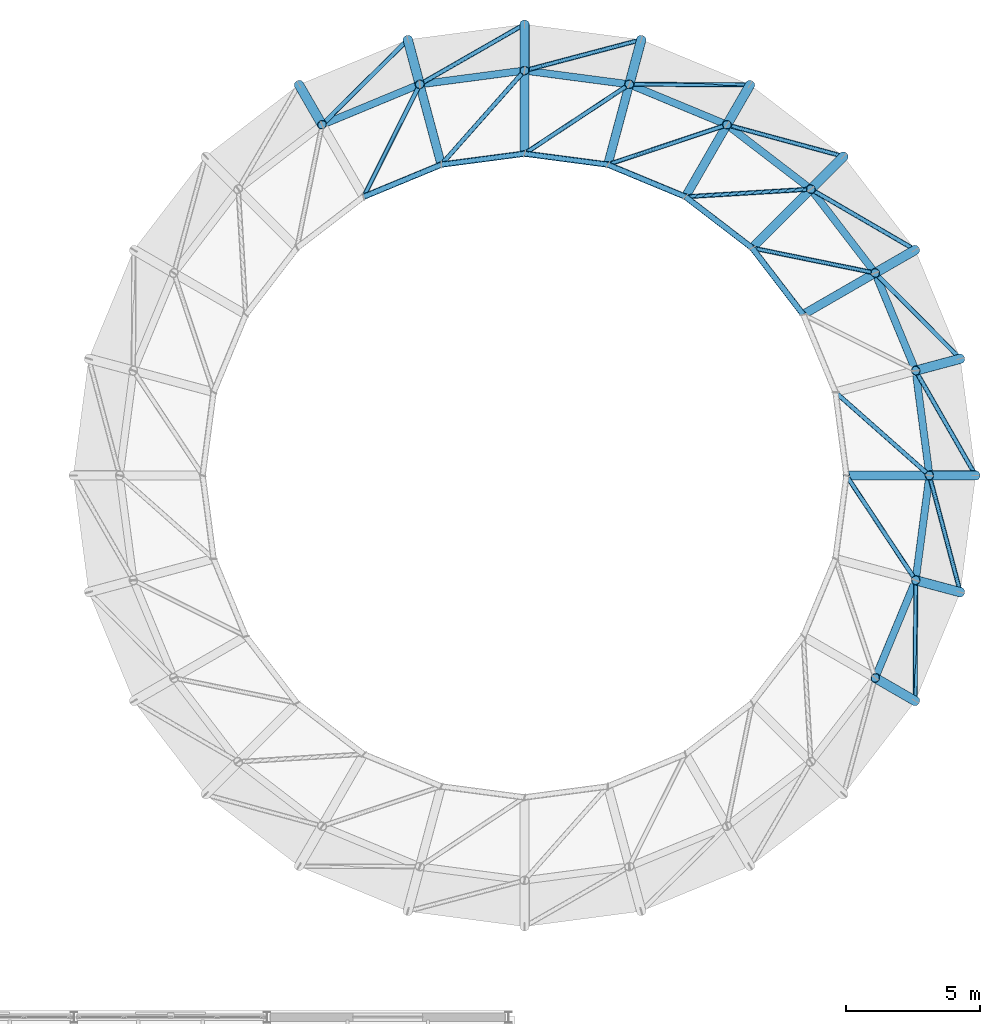
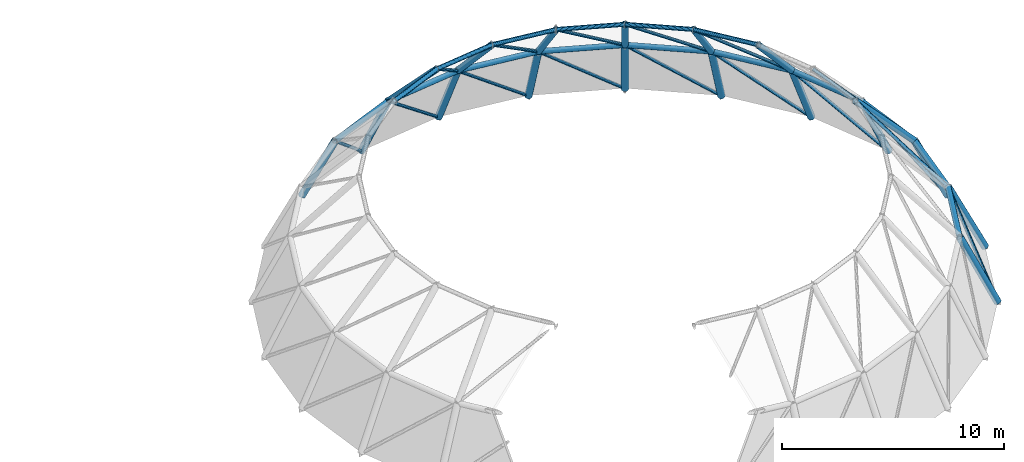
# One storey, part 25 of 48: 34 members, 18 beams.
"""IFC4 building model written with IfcOpenShell, lengths in metres."""

from ifc_helpers import new_model, si_unit, direction, frame, origin, origin_2d, place, context, subcontext, project, spatial, hollow_circle, extrude, material, material_profile, profile_set, type_object, element, save


model = new_model("IFC4")

# Units and contexts
model_context = context("Model", 3, precision=1e-05, world=origin(), true_north=direction((0.0, 1.0)))
body_context = subcontext(model_context, "Body", "Model", "MODEL_VIEW")
ifc_project = project(units=[si_unit("LENGTHUNIT", "METRE"), si_unit("AREAUNIT", "SQUARE_METRE"), si_unit("VOLUMEUNIT", "CUBIC_METRE"), si_unit("PLANEANGLEUNIT", "RADIAN"), si_unit("MASSUNIT", "GRAM", prefix="KILO")], contexts=[model_context])

# Site, building, storey
site_placement = place(None, origin())
site = spatial("IfcSite", under=ifc_project, at=site_placement, CompositionType="ELEMENT")
building_placement = place(site_placement, origin())
building = spatial("IfcBuilding", under=site, at=building_placement, Name="Kandorven Conservatory and Botanical Research Centre", CompositionType="ELEMENT")
storey_placement = place(building_placement, frame((0.0, 0.0, 13.199951171875)))
storey = spatial("IfcBuildingStorey", under=building, at=storey_placement, Name="L03", CompositionType="ELEMENT", Elevation=13.199951171875)

# Beams
ifc_material_1 = material(Name="Steel S355 (IS 2062 E350)", Category="steel")
ifc_material_profile_1 = material_profile(ifc_material_1, hollow_circle(Radius=0.177734375, WallThickness=0.02001953125, at=origin_2d()))
ifc_profile_set_1 = profile_set([ifc_material_profile_1], Name="Steel S355 (IS 2062 E350)")
beam_type_1 = type_object("IfcBeamType", Name="Beam_DR-01", PredefinedType="BEAM", material=ifc_profile_set_1)
beam_1_placement = place(storey_placement, frame((104.425048828125, 47.800048828125, -2.39990234375), z_axis=(-0.432154376008, 0.0, 0.901799642547), x_axis=(0.0, -1.0, 0.0)))
element("IfcBeam", 1, at=beam_1_placement, inside=storey, type_object=beam_type_1, Name="Conservatory Dome Rib DR-01 T1-R01", PredefinedType="BEAM", context=body_context, shape_type="SweptSolid", body=[
    extrude(hollow_circle(Radius=0.177734375, WallThickness=0.02001953125, at=origin_2d()), origin(), (0.0, 0.0, 1.0), 3.991943359375),
])
for number, where, z_axis, x_axis, name in (
    (2, (103.851806640625, 52.154541015625, -2.39990234375), (-0.41741968937, -0.111801200318, 0.901810010221), (0.258719578091, -0.965952472906, 0.0), "Conservatory Dome Rib DR-01 T1-R02"),
    (3, (102.1708984375, 56.21240234375, -2.39990234375), (-0.374243967725, -0.216020541592, 0.901818484082), (0.499914405916, -0.866074815912, 0.0), "Conservatory Dome Rib DR-01 T1-R03"),
    (4, (99.4970703125, 59.697021484375, -2.39990234375), (-0.305558572784, -0.305558572784, 0.901813682085), (0.707106781187, -0.707106781187, 0.0), "Conservatory Dome Rib DR-01 T1-R04"),
):
    element("IfcBeam", number, at=place(storey_placement, frame(where, z_axis=z_axis, x_axis=x_axis)), inside=storey, type_object=beam_type_1, Name=name, PredefinedType="BEAM", context=body_context, shape_type="SweptSolid", body=[
        extrude(hollow_circle(Radius=0.177734375, WallThickness=0.02001953125, at=origin_2d()), origin(), (0.0, 0.0, 1.0), 3.99169921875),
    ])
beam_2_placement = place(storey_placement, frame((96.012451171875, 62.370849609375, -2.39990234375), z_axis=(-0.216078847336, -0.374239022602, 0.901806567783), x_axis=(0.866013532718, -0.500020560727, 0.0)))
element("IfcBeam", 5, at=beam_2_placement, inside=storey, type_object=beam_type_1, Name="Conservatory Dome Rib DR-01 T1-R05", PredefinedType="BEAM", context=body_context, shape_type="SweptSolid", body=[
    extrude(hollow_circle(Radius=0.177734375, WallThickness=0.02001953125, at=origin_2d()), origin(), (0.0, 0.0, 1.0), 3.991943359375),
])
beam_3_placement = place(storey_placement, frame((91.95458984375, 64.0517578125, -2.39990234375), z_axis=(-0.111801200318, -0.41741968937, 0.901810010221), x_axis=(0.965952472906, -0.258719578091, 0.0)))
element("IfcBeam", 6, at=beam_3_placement, inside=storey, type_object=beam_type_1, Name="Conservatory Dome Rib DR-01 T1-R06", PredefinedType="BEAM", context=body_context, shape_type="SweptSolid", body=[
    extrude(hollow_circle(Radius=0.177734375, WallThickness=0.02001953125, at=origin_2d()), origin(), (0.0, 0.0, 1.0), 3.99169921875),
])
for number, where, z_axis, x_axis, name in (
    (7, (87.60009765625, 64.625, -2.39990234375), (0.0, -0.432154376008, 0.901799642547), (1.0, 0.0, 0.0), "Conservatory Dome Rib DR-01 T1-R07"),
    (8, (83.245361328125, 64.0517578125, -2.39990234375), (0.111861595617, -0.417416834384, 0.901803842196), (0.965917094923, 0.258851628808, 0.0), "Conservatory Dome Rib DR-01 T1-R08"),
    (9, (79.1875, 62.370849609375, -2.39990234375), (0.216078847336, -0.374239022602, 0.901806567783), (0.866013532718, 0.500020560727, 0.0), "Conservatory Dome Rib DR-01 T1-R09"),
    (10, (102.1708984375, 39.387451171875, -2.39990234375), (-0.374239022602, 0.216078847336, 0.901806567783), (-0.500020560727, -0.866013532718, 0.0), "Conservatory Dome Rib DR-01 T1-R23"),
    (11, (103.851806640625, 43.4453125, -2.39990234375), (-0.417416834384, 0.111861595617, 0.901803842196), (-0.258851628808, -0.965917094923, 0.0), "Conservatory Dome Rib DR-01 T1-R24"),
):
    element("IfcBeam", number, at=place(storey_placement, frame(where, z_axis=z_axis, x_axis=x_axis)), inside=storey, type_object=beam_type_1, Name=name, PredefinedType="BEAM", context=body_context, shape_type="SweptSolid", body=[
        extrude(hollow_circle(Radius=0.177734375, WallThickness=0.02001953125, at=origin_2d()), origin(), (0.0, 0.0, 1.0), 3.991943359375),
    ])
ifc_material_2 = material(Name="Steel S355 (IS 2062 E350)", Category="steel")
ifc_material_profile_2 = material_profile(ifc_material_2, hollow_circle(Radius=0.161865234375, WallThickness=0.01611328125, at=origin_2d()))
ifc_profile_set_2 = profile_set([ifc_material_profile_2], Name="Steel S355 (IS 2062 E350)")
beam_type_2 = type_object("IfcBeamType", Name="Beam_DR-02", PredefinedType="BEAM", material=ifc_profile_set_2)
beam_4_placement = place(storey_placement, frame((102.699951171875, 47.800048828125, 1.199951171875), z_axis=(-0.684652892833, 0.0, 0.72886927246), x_axis=(0.0, -1.0, 0.0)))
element("IfcBeam", 12, at=beam_4_placement, inside=storey, type_object=beam_type_2, Name="Conservatory Dome Rib DR-02 T2-R01", PredefinedType="BEAM", context=body_context, shape_type="SweptSolid", body=[
    extrude(hollow_circle(Radius=0.161865234375, WallThickness=0.01611328125, at=origin_2d()), origin(), (0.0, 0.0, 1.0), 4.527587890625),
])
for number, where, z_axis, x_axis, name in (
    (13, (100.677001953125, 55.35009765625, 1.199951171875), (-0.592958926882, -0.342338476564, 0.728837484283), (0.49999285859, -0.86602952684, 0.0), "Conservatory Dome Rib DR-02 T2-R03"),
    (14, (98.27734375, 58.477294921875, 1.199951171875), (-0.484160124933, -0.484106203547, 0.72885537462), (0.707067402311, -0.707146157869, 0.0), "Conservatory Dome Rib DR-02 T2-R04"),
):
    element("IfcBeam", number, at=place(storey_placement, frame(where, z_axis=z_axis, x_axis=x_axis)), inside=storey, type_object=beam_type_2, Name=name, PredefinedType="BEAM", context=body_context, shape_type="SweptSolid", body=[
        extrude(hollow_circle(Radius=0.161865234375, WallThickness=0.01611328125, at=origin_2d()), origin(), (0.0, 0.0, 1.0), 4.52783203125),
    ])
beam_5_placement = place(storey_placement, frame((95.14990234375, 60.876953125, 1.199951171875), z_axis=(-0.342301818665, -0.592934908324, 0.728874241162), x_axis=(0.866043940782, -0.499967891604, 0.0)))
element("IfcBeam", 15, at=beam_5_placement, inside=storey, type_object=beam_type_2, Name="Conservatory Dome Rib DR-02 T2-R05", PredefinedType="BEAM", context=body_context, shape_type="SweptSolid", body=[
    extrude(hollow_circle(Radius=0.161865234375, WallThickness=0.01611328125, at=origin_2d()), origin(), (0.0, 0.0, 1.0), 4.527587890625),
])
beam_6_placement = place(storey_placement, frame((91.50830078125, 62.385498046875, 1.199951171875), z_axis=(-0.177237619808, -0.661338426208, 0.728847248843), x_axis=(0.965913950106, -0.258863363555, 0.0)))
element("IfcBeam", 16, at=beam_6_placement, inside=storey, type_object=beam_type_2, Name="Conservatory Dome Rib DR-02 T2-R06", PredefinedType="BEAM", context=body_context, shape_type="SweptSolid", body=[
    extrude(hollow_circle(Radius=0.161865234375, WallThickness=0.01611328125, at=origin_2d()), origin(), (0.0, 0.0, 1.0), 4.52783203125),
])
beam_7_placement = place(storey_placement, frame((87.60009765625, 62.89990234375, 1.199951171875), z_axis=(0.0, -0.684652892833, 0.72886927246), x_axis=(1.0, 0.0, 0.0)))
element("IfcBeam", 17, at=beam_7_placement, inside=storey, type_object=beam_type_2, Name="Conservatory Dome Rib DR-02 T2-R07", PredefinedType="BEAM", context=body_context, shape_type="SweptSolid", body=[
    extrude(hollow_circle(Radius=0.161865234375, WallThickness=0.01611328125, at=origin_2d()), origin(), (0.0, 0.0, 1.0), 4.527587890625),
])
beam_8_placement = place(storey_placement, frame((83.69189453125, 62.385498046875, 1.199951171875), z_axis=(0.177185392098, -0.661344745611, 0.728854213324), x_axis=(0.965933639263, 0.258789884926, 0.0)))
element("IfcBeam", 18, at=beam_8_placement, inside=storey, type_object=beam_type_2, Name="Conservatory Dome Rib DR-02 T2-R08", PredefinedType="BEAM", context=body_context, shape_type="SweptSolid", body=[
    extrude(hollow_circle(Radius=0.161865234375, WallThickness=0.01611328125, at=origin_2d()), origin(), (0.0, 0.0, 1.0), 4.52783203125),
])

# Members
ifc_material_3 = material(Name="Steel S355 (IS 2062 E350)", Category="steel")
ifc_material_profile_3 = material_profile(ifc_material_3, hollow_circle(Radius=0.084228515625, WallThickness=0.010009765625, at=origin_2d()))
ifc_profile_set_3 = profile_set([ifc_material_profile_3], Name="Steel S355 (IS 2062 E350)")
member_type_1 = type_object("IfcMemberType", Name="Mem_DD-02", PredefinedType="BRACE", material=ifc_profile_set_3)
member_1_placement = place(storey_placement, frame((104.425048828125, 47.800048828125, -2.39990234375), z_axis=(-0.388388437451, 0.677785032891, 0.624309114817), x_axis=(-0.867645471451, -0.49718340265, 0.0)))
element("IfcMember", 19, at=member_1_placement, inside=storey, type_object=member_type_1, Name="Conservatory Dome Brace DD-02 T1-S01", PredefinedType="BRACE", context=body_context, shape_type="SweptSolid", body=[
    extrude(hollow_circle(Radius=0.084228515625, WallThickness=0.010009765625, at=origin_2d()), origin(), (0.0, 0.0, 1.0), 5.76611328125),
])
member_2_placement = place(storey_placement, frame((103.851806640625, 52.154541015625, -2.39990234375), z_axis=(-0.550581684599, 0.554180534429, 0.624294597001), x_axis=(-0.709406473111, -0.704799585632, 0.0)))
element("IfcMember", 20, at=member_2_placement, inside=storey, type_object=member_type_1, Name="Conservatory Dome Brace DD-02 T1-S02", PredefinedType="BRACE", context=body_context, shape_type="SweptSolid", body=[
    extrude(hollow_circle(Radius=0.084228515625, WallThickness=0.010009765625, at=origin_2d()), origin(), (0.0, 0.0, 1.0), 5.766357421875),
])
for number, where, z_axis, x_axis, name in (
    (21, (102.1708984375, 56.21240234375, -2.39990234375), (-0.675243737659, 0.392791331469, 0.624308308991), (-0.502819216234, -0.864391598632, 0.0), "Conservatory Dome Brace DD-02 T1-S03"),
    (22, (99.4970703125, 59.697021484375, -2.39990234375), (-0.75390526905, 0.204629010745, 0.624302661583), (-0.26194774706, -0.965082057553, 0.0), "Conservatory Dome Brace DD-02 T1-S04"),
):
    element("IfcMember", number, at=place(storey_placement, frame(where, z_axis=z_axis, x_axis=x_axis)), inside=storey, type_object=member_type_1, Name=name, PredefinedType="BRACE", context=body_context, shape_type="SweptSolid", body=[
        extrude(hollow_circle(Radius=0.084228515625, WallThickness=0.010009765625, at=origin_2d()), origin(), (0.0, 0.0, 1.0), 5.76611328125),
    ])
member_3_placement = place(storey_placement, frame((96.012451171875, 62.370849609375, -2.39990234375), z_axis=(-0.781159496248, 0.002540493781, 0.624326346803), x_axis=(-0.003252191593, -0.999994711611, 0.0)))
element("IfcMember", 23, at=member_3_placement, inside=storey, type_object=member_type_1, Name="Conservatory Dome Brace DD-02 T1-S05", PredefinedType="BRACE", context=body_context, shape_type="SweptSolid", body=[
    extrude(hollow_circle(Radius=0.084228515625, WallThickness=0.010009765625, at=origin_2d()), origin(), (0.0, 0.0, 1.0), 5.765869140625),
])
for number, where, z_axis, x_axis, name in (
    (24, (91.95458984375, 64.0517578125, -2.39990234375), (-0.755195169433, -0.199765127236, 0.62431894894), (0.255725699793, -0.966749381414, 0.0), "Conservatory Dome Brace DD-02 T1-S06"),
    (25, (87.60009765625, 64.625, -2.39990234375), (-0.677785032891, -0.388388437451, 0.624309114817), (0.49718340265, -0.867645471451, 0.0), "Conservatory Dome Brace DD-02 T1-S07"),
    (26, (83.245361328125, 64.0517578125, -2.39990234375), (-0.554151197099, -0.55059460323, 0.624309245204), (0.704826684923, -0.709379548775, 0.0), "Conservatory Dome Brace DD-02 T1-S08"),
    (27, (102.1708984375, 39.387451171875, -2.39990234375), (0.002540409755, 0.78117599974, 0.624305697353), (-0.999994712184, 0.003252015324, 0.0), "Conservatory Dome Brace DD-02 T1-S23"),
    (28, (103.851806640625, 43.4453125, -2.39990234375), (-0.199758739721, 0.755213361679, 0.624298986262), (-0.966752925719, -0.255712300473, 0.0), "Conservatory Dome Brace DD-02 T1-S24"),
):
    element("IfcMember", number, at=place(storey_placement, frame(where, z_axis=z_axis, x_axis=x_axis)), inside=storey, type_object=member_type_1, Name=name, PredefinedType="BRACE", context=body_context, shape_type="SweptSolid", body=[
        extrude(hollow_circle(Radius=0.084228515625, WallThickness=0.010009765625, at=origin_2d()), origin(), (0.0, 0.0, 1.0), 5.76611328125),
    ])
member_4_placement = place(storey_placement, frame((102.699951171875, 47.800048828125, 1.199951171875), z_axis=(-0.612219168073, 0.541889788273, 0.575797835711), x_axis=(-0.662787451168, -0.748807581809, 0.0)))
element("IfcMember", 29, at=member_4_placement, inside=storey, type_object=member_type_1, Name="Conservatory Dome Brace DD-02 T2-S01", PredefinedType="BRACE", context=body_context, shape_type="SweptSolid", body=[
    extrude(hollow_circle(Radius=0.084228515625, WallThickness=0.010009765625, at=origin_2d()), origin(), (0.0, 0.0, 1.0), 5.731201171875),
])
for number, where, z_axis, x_axis, name in (
    (30, (100.677001953125, 55.35009765625, 1.199951171875), (-0.801155622433, 0.163187323987, 0.575777357955), (-0.199591513114, -0.979879190458, 0.0), "Conservatory Dome Brace DD-02 T2-S03"),
    (31, (98.27734375, 58.477294921875, 1.199951171875), (-0.816084083096, -0.049711354263, 0.57579123871), (0.060801800058, -0.998149859044, 0.0), "Conservatory Dome Brace DD-02 T2-S04"),
):
    element("IfcMember", number, at=place(storey_placement, frame(where, z_axis=z_axis, x_axis=x_axis)), inside=storey, type_object=member_type_1, Name=name, PredefinedType="BRACE", context=body_context, shape_type="SweptSolid", body=[
        extrude(hollow_circle(Radius=0.084228515625, WallThickness=0.010009765625, at=origin_2d()), origin(), (0.0, 0.0, 1.0), 5.7314453125),
    ])
member_5_placement = place(storey_placement, frame((95.14990234375, 60.876953125, 1.199951171875), z_axis=(-0.775404993353, -0.259249288005, 0.575792413072), x_axis=(0.317087304359, -0.948396352489, 0.0)))
element("IfcMember", 32, at=member_5_placement, inside=storey, type_object=member_type_1, Name="Conservatory Dome Brace DD-02 T2-S05", PredefinedType="BRACE", context=body_context, shape_type="SweptSolid", body=[
    extrude(hollow_circle(Radius=0.084228515625, WallThickness=0.010009765625, at=origin_2d()), origin(), (0.0, 0.0, 1.0), 5.731201171875),
])
for number, where, z_axis, x_axis, name in (
    (33, (91.50830078125, 62.385498046875, 1.199951171875), (-0.681893529381, -0.451102728395, 0.575784285148), (0.551739014675, -0.834016822183, 0.0), "Conservatory Dome Brace DD-02 T2-S06"),
    (34, (87.60009765625, 62.89990234375, 1.199951171875), (-0.541919876596, -0.612205035877, 0.57578454425), (0.748781723977, -0.662816663821, 0.0), "Conservatory Dome Brace DD-02 T2-S07"),
    (35, (83.69189453125, 62.385498046875, 1.199951171875), (-0.364975775749, -0.731612855799, 0.575791031839), (0.894833208846, -0.446400636588, 0.0), "Conservatory Dome Brace DD-02 T2-S08"),
    (36, (102.185546875, 43.891845703125, 1.199951171875), (-0.451102728395, 0.681893529381, 0.575784285148), (-0.834016822183, -0.551739014675, 0.0), "Conservatory Dome Brace DD-02 T2-S24"),
):
    element("IfcMember", number, at=place(storey_placement, frame(where, z_axis=z_axis, x_axis=x_axis)), inside=storey, type_object=member_type_1, Name=name, PredefinedType="BRACE", context=body_context, shape_type="SweptSolid", body=[
        extrude(hollow_circle(Radius=0.084228515625, WallThickness=0.010009765625, at=origin_2d()), origin(), (0.0, 0.0, 1.0), 5.7314453125),
    ])
ifc_material_4 = material(Name="Steel S355 (IS 2062 E350)", Category="steel")
ifc_material_profile_4 = material_profile(ifc_material_4, hollow_circle(Radius=0.136474609375, WallThickness=0.013916015625, at=origin_2d()))
ifc_profile_set_4 = profile_set([ifc_material_profile_4], Name="Steel S355 (IS 2062 E350)")
member_type_2 = type_object("IfcMemberType", Name="Mem_DH-01", PredefinedType="CHORD", material=ifc_profile_set_4)
for number, where, z_axis, x_axis, name in (
    (37, (102.699951171875, 47.800048828125, 1.199951171875), (-0.130496167574, 0.991448813731, 0.0), (-0.991448813731, -0.130496167574, 0.0), "Conservatory Dome Hoop DH-01 T1-S01"),
    (38, (102.185546875, 51.708251953125, 1.199951171875), (-0.382692751803, 0.923875672219, 0.0), (-0.923875672219, -0.382692751803, 0.0), "Conservatory Dome Hoop DH-01 T1-S02"),
    (39, (100.677001953125, 55.35009765625, 1.199951171875), (-0.608773459643, 0.793344108716, 0.0), (-0.793344108716, -0.608773459643, 0.0), "Conservatory Dome Hoop DH-01 T1-S03"),
    (40, (98.27734375, 58.477294921875, 1.199951171875), (-0.793367060993, 0.608743547424, 0.0), (-0.608743547424, -0.793367060993, 0.0), "Conservatory Dome Hoop DH-01 T1-S04"),
):
    element("IfcMember", number, at=place(storey_placement, frame(where, z_axis=z_axis, x_axis=x_axis)), inside=storey, type_object=member_type_2, Name=name, PredefinedType="CHORD", context=body_context, shape_type="SweptSolid", body=[
        extrude(hollow_circle(Radius=0.136474609375, WallThickness=0.013916015625, at=origin_2d()), origin(), (0.0, 0.0, 1.0), 3.94189453125),
    ])
member_6_placement = place(storey_placement, frame((95.14990234375, 60.876953125, 1.199951171875), z_axis=(-0.923866600913, 0.382714650512, 0.0), x_axis=(-0.382714650512, -0.923866600913, 0.0)))
element("IfcMember", 41, at=member_6_placement, inside=storey, type_object=member_type_2, Name="Conservatory Dome Hoop DH-01 T1-S05", PredefinedType="CHORD", context=body_context, shape_type="SweptSolid", body=[
    extrude(hollow_circle(Radius=0.136474609375, WallThickness=0.013916015625, at=origin_2d()), origin(), (0.0, 0.0, 1.0), 3.941650390625),
])
for number, where, z_axis, x_axis, name in (
    (42, (91.50830078125, 62.385498046875, 1.199951171875), (-0.991448813731, 0.130496167574, 0.0), (-0.130496167574, -0.991448813731, 0.0), "Conservatory Dome Hoop DH-01 T1-S06"),
    (43, (87.60009765625, 62.89990234375, 1.199951171875), (-0.991448813731, -0.130496167574, 0.0), (0.130496167574, -0.991448813731, 0.0), "Conservatory Dome Hoop DH-01 T1-S07"),
    (44, (83.69189453125, 62.385498046875, 1.199951171875), (-0.923875672219, -0.382692751803, 0.0), (0.382692751803, -0.923875672219, 0.0), "Conservatory Dome Hoop DH-01 T1-S08"),
    (45, (100.677001953125, 40.25, 1.199951171875), (0.382692751803, 0.923875672219, 0.0), (-0.923875672219, 0.382692751803, 0.0), "Conservatory Dome Hoop DH-01 T1-S23"),
    (46, (102.185546875, 43.891845703125, 1.199951171875), (0.130496167574, 0.991448813731, 0.0), (-0.991448813731, 0.130496167574, 0.0), "Conservatory Dome Hoop DH-01 T1-S24"),
):
    element("IfcMember", number, at=place(storey_placement, frame(where, z_axis=z_axis, x_axis=x_axis)), inside=storey, type_object=member_type_2, Name=name, PredefinedType="CHORD", context=body_context, shape_type="SweptSolid", body=[
        extrude(hollow_circle(Radius=0.136474609375, WallThickness=0.013916015625, at=origin_2d()), origin(), (0.0, 0.0, 1.0), 3.94189453125),
    ])
ifc_material_5 = material(Name="Steel S355 (IS 2062 E350)", Category="steel")
ifc_material_profile_5 = material_profile(ifc_material_5, hollow_circle(Radius=0.109619140625, WallThickness=0.011962890625, at=origin_2d()))
ifc_profile_set_5 = profile_set([ifc_material_profile_5], Name="Steel S355 (IS 2062 E350)")
member_type_3 = type_object("IfcMemberType", Name="Mem_DH-02", PredefinedType="CHORD", material=ifc_profile_set_5)
for number, where, z_axis, x_axis, name in (
    (47, (97.9921875, 53.800048828125, 4.5), (-0.608742360322, 0.793367971845, 0.0), (-0.793367971845, -0.608742360322, 0.0), "Conservatory Dome Hoop DH-02 T2-S03"),
    (48, (96.085205078125, 56.285400390625, 4.5), (-0.793339089383, 0.608780000704, 0.0), (-0.608780000704, -0.793339089383, 0.0), "Conservatory Dome Hoop DH-02 T2-S04"),
):
    element("IfcMember", number, at=place(storey_placement, frame(where, z_axis=z_axis, x_axis=x_axis)), inside=storey, type_object=member_type_3, Name=name, PredefinedType="CHORD", context=body_context, shape_type="SweptSolid", body=[
        extrude(hollow_circle(Radius=0.109619140625, WallThickness=0.011962890625, at=origin_2d()), origin(), (0.0, 0.0, 1.0), 3.132568359375),
    ])
member_7_placement = place(storey_placement, frame((93.60009765625, 58.1923828125, 4.5), z_axis=(-0.92389335771, 0.382650053678, 0.0), x_axis=(-0.382650053678, -0.92389335771, 0.0)))
element("IfcMember", 49, at=member_7_placement, inside=storey, type_object=member_type_3, Name="Conservatory Dome Hoop DH-02 T2-S05", PredefinedType="CHORD", context=body_context, shape_type="SweptSolid", body=[
    extrude(hollow_circle(Radius=0.109619140625, WallThickness=0.011962890625, at=origin_2d()), origin(), (0.0, 0.0, 1.0), 3.1328125),
])
member_8_placement = place(storey_placement, frame((90.705810546875, 59.39111328125, 4.5), z_axis=(-0.991442354069, 0.130545235678, 0.0), x_axis=(-0.130545235678, -0.991442354069, 0.0)))
element("IfcMember", 50, at=member_8_placement, inside=storey, type_object=member_type_3, Name="Conservatory Dome Hoop DH-02 T2-S06", PredefinedType="CHORD", context=body_context, shape_type="SweptSolid", body=[
    extrude(hollow_circle(Radius=0.109619140625, WallThickness=0.011962890625, at=origin_2d()), origin(), (0.0, 0.0, 1.0), 3.132568359375),
])
member_9_placement = place(storey_placement, frame((87.60009765625, 59.800048828125, 4.5), z_axis=(-0.99144368213, -0.130535149156, 0.0), x_axis=(0.130535149156, -0.99144368213, 0.0)))
element("IfcMember", 51, at=member_9_placement, inside=storey, type_object=member_type_3, Name="Conservatory Dome Hoop DH-02 T2-S07", PredefinedType="CHORD", context=body_context, shape_type="SweptSolid", body=[
    extrude(hollow_circle(Radius=0.109619140625, WallThickness=0.011962890625, at=origin_2d()), origin(), (0.0, 0.0, 1.0), 3.1328125),
])
member_10_placement = place(storey_placement, frame((84.494140625, 59.39111328125, 4.5), z_axis=(-0.923881945474, -0.382677606907, 0.0), x_axis=(0.382677606907, -0.923881945474, 0.0)))
element("IfcMember", 52, at=member_10_placement, inside=storey, type_object=member_type_3, Name="Conservatory Dome Hoop DH-02 T2-S08", PredefinedType="CHORD", context=body_context, shape_type="SweptSolid", body=[
    extrude(hollow_circle(Radius=0.109619140625, WallThickness=0.011962890625, at=origin_2d()), origin(), (0.0, 0.0, 1.0), 3.132568359375),
])

save(model, "model.ifc")
